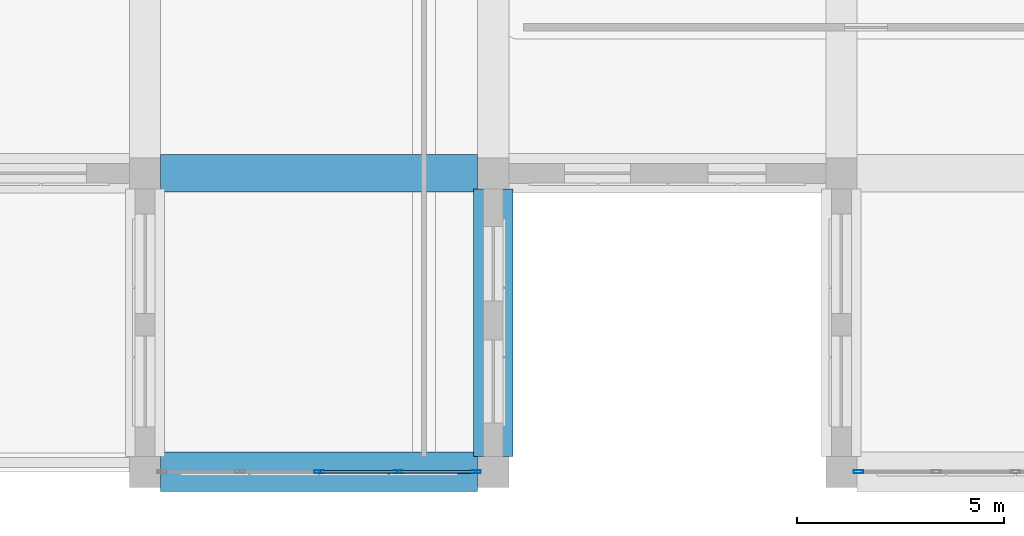
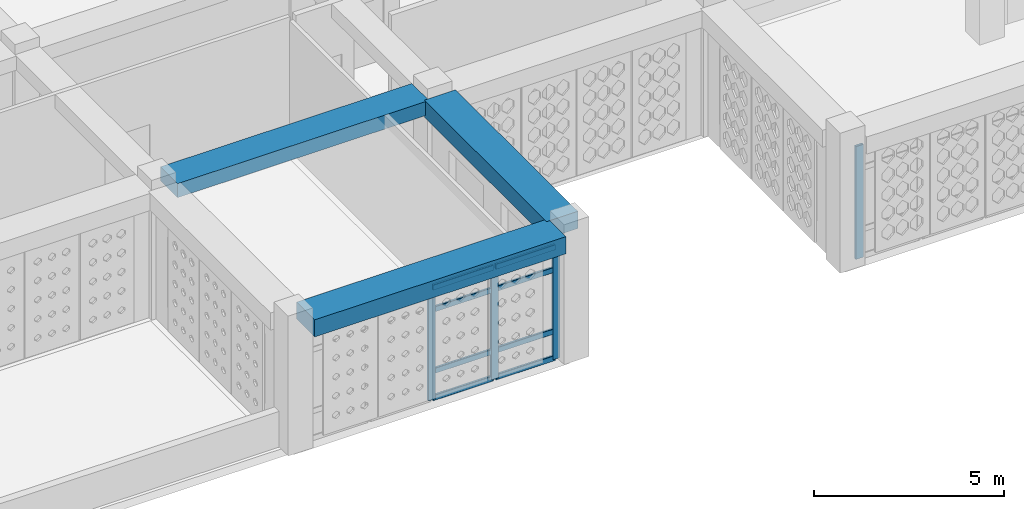
# One storey, part 15 of 111: 12 members, 3 beams, 2 elements without a shape of their own.
"""IFC4 building model written with IfcOpenShell, lengths in metres."""

from ifc_helpers import new_model, si_unit, derived_unit, direction, frame, origin, origin_2d, place, context, subcontext, project, spatial, rectangle, hollow_rectangle, extrude, material, material_profile, profile_set, type_object, element, aggregate, save


model = new_model("IFC4")

# Units and contexts
model_context = context("Model", 3, precision=1e-05, world=origin(), true_north=direction((0.0, 1.0)))
body_context = subcontext(model_context, "Body", "Model", "MODEL_VIEW")
ifc_project = project(units=[si_unit("LENGTHUNIT", "METRE"), si_unit("AREAUNIT", "SQUARE_METRE"), si_unit("VOLUMEUNIT", "CUBIC_METRE"), si_unit("PLANEANGLEUNIT", "RADIAN"), si_unit("MASSUNIT", "GRAM", prefix="KILO"), derived_unit("THERMALTRANSMITTANCEUNIT", [(si_unit("POWERUNIT", "WATT"), 1), (si_unit("LENGTHUNIT", "METRE"), -2), (si_unit("THERMODYNAMICTEMPERATUREUNIT", "KELVIN"), -1)])], contexts=[model_context])

# Site, building, storey
site_placement = place(None, origin())
site = spatial("IfcSite", under=ifc_project, at=site_placement, CompositionType="ELEMENT")
building_placement = place(site_placement, origin())
building = spatial("IfcBuilding", under=site, at=building_placement, Name="Veybourne Emporium", CompositionType="ELEMENT")
storey_placement = place(building_placement, frame((0.0, 0.0, 9.89990234375)))
storey = spatial("IfcBuildingStorey", under=building, at=storey_placement, Name="L02", CompositionType="ELEMENT", Elevation=9.89990234375)

# Curtain wall, members
ifc_material_1 = material(Name="Patinated Architectural Bronze", Category="bronze")
curtain_wall_type_1 = type_object("IfcCurtainWallType", Name="CWSystem_CWS-17", PredefinedType="NOTDEFINED", material=ifc_material_1)
curtain_wall_1_placement = place(storey_placement, origin())
curtain_wall_1 = element("IfcCurtainWall", 1, at=curtain_wall_1_placement, inside=storey, type_object=curtain_wall_type_1, Name="L02 bronze glazed curtain wall CWS-17 (039)", PredefinedType="NOTDEFINED")
ifc_material_profile_1 = material_profile(ifc_material_1, hollow_rectangle(XDim=0.072021484375, YDim=0.22509765625, WallThickness=0.0048828125, InnerFilletRadius=0.007568359375, OuterFilletRadius=0.012451171875, at=origin_2d()), Name="CWM 72x225x5")
ifc_profile_set_1 = profile_set([ifc_material_profile_1], Name="Patinated Architectural Bronze")
member_type_1 = type_object("IfcMemberType", Name="CWMullion_CW-M1", PredefinedType="MULLION", material=ifc_profile_set_1)
member_1_placement = place(storey_placement, frame((83.589111328125, 0.0, 0.0), z_axis=(0.0, 0.0, 1.0), x_axis=(0.0, -1.0, 0.0)))
member_1 = element("IfcMember", 2, at=member_1_placement, type_object=member_type_1, Name="CWS-17 mullion 1", PredefinedType="MULLION", context=body_context, shape_type="SweptSolid", body=[
    extrude(hollow_rectangle(XDim=0.072021484375, YDim=0.22509765625, WallThickness=0.0048828125, InnerFilletRadius=0.007568359375, OuterFilletRadius=0.012451171875, at=origin_2d()), origin(), (0.0, 0.0, 1.0), 3.630126953125),
])
member_2_placement = place(storey_placement, frame((81.71240234375, 0.0, 0.0), z_axis=(0.0, 0.0, 1.0), x_axis=(0.0, -1.0, 0.0)))
member_2 = element("IfcMember", 3, at=member_2_placement, type_object=member_type_1, Name="CWS-17 mullion 2", PredefinedType="MULLION", context=body_context, shape_type="SweptSolid", body=[
    extrude(hollow_rectangle(XDim=0.072021484375, YDim=0.22509765625, WallThickness=0.0048828125, InnerFilletRadius=0.007568359375, OuterFilletRadius=0.012451171875, at=origin_2d()), origin(), (0.0, 0.0, 1.0), 3.630126953125),
])
member_3_placement = place(storey_placement, frame((79.800048828125, 0.0, 0.0), z_axis=(0.0, 0.0, 1.0), x_axis=(0.0, -1.0, 0.0)))
member_3 = element("IfcMember", 4, at=member_3_placement, type_object=member_type_1, Name="CWS-17 mullion 3", PredefinedType="MULLION", context=body_context, shape_type="SweptSolid", body=[
    extrude(hollow_rectangle(XDim=0.072021484375, YDim=0.22509765625, WallThickness=0.0048828125, InnerFilletRadius=0.007568359375, OuterFilletRadius=0.012451171875, at=origin_2d()), origin(), (0.0, 0.0, 1.0), 3.630126953125),
])

# Curtain wall, member
curtain_wall_type_2 = type_object("IfcCurtainWallType", Name="CWSystem_CWS-19", PredefinedType="NOTDEFINED", material=ifc_material_1)
curtain_wall_2_placement = place(storey_placement, origin())
curtain_wall_2 = element("IfcCurtainWall", 5, at=curtain_wall_2_placement, inside=storey, type_object=curtain_wall_type_2, Name="L02 bronze glazed curtain wall CWS-19 (046)", PredefinedType="NOTDEFINED")
ifc_material_profile_2 = material_profile(ifc_material_1, hollow_rectangle(XDim=0.077880859375, YDim=0.235107421875, WallThickness=0.0048828125, InnerFilletRadius=0.007568359375, OuterFilletRadius=0.012451171875, at=origin_2d()), Name="CWM 78x235x5")
ifc_profile_set_2 = profile_set([ifc_material_profile_2], Name="Patinated Architectural Bronze")
member_type_2 = type_object("IfcMemberType", Name="CWMullion_CW-M3", PredefinedType="MULLION", material=ifc_profile_set_2)
member_4_placement = place(storey_placement, frame((92.81396484375, 0.0, 0.0), z_axis=(0.0, 0.0, 1.0), x_axis=(0.0, -1.0, 0.0)))
member_4 = element("IfcMember", 6, at=member_4_placement, type_object=member_type_2, Name="CWS-19 mullion 5", PredefinedType="MULLION", context=body_context, shape_type="SweptSolid", body=[
    extrude(hollow_rectangle(XDim=0.077880859375, YDim=0.235107421875, WallThickness=0.0048828125, InnerFilletRadius=0.007568359375, OuterFilletRadius=0.012451171875, at=origin_2d()), origin(), (0.0, 0.0, 1.0), 3.630126953125),
])
aggregate(curtain_wall_2, [member_4])

# Member
ifc_material_profile_3 = material_profile(ifc_material_1, hollow_rectangle(XDim=0.072021484375, YDim=0.175048828125, WallThickness=0.0048828125, InnerFilletRadius=0.007568359375, OuterFilletRadius=0.012451171875, at=origin_2d()), Name="CWT 72x175x5")
ifc_profile_set_3 = profile_set([ifc_material_profile_3], Name="Patinated Architectural Bronze")
member_type_3 = type_object("IfcMemberType", Name="CWTransom_CW-T1", PredefinedType="NOTDEFINED", material=ifc_profile_set_3)
member_5_placement = place(storey_placement, frame((83.552978515625, 0.0, 0.0361328125), z_axis=(-1.0, 0.0, 0.0), x_axis=(0.0, -1.0, 0.0)))
member_5 = element("IfcMember", 7, at=member_5_placement, type_object=member_type_3, Name="CWS-17 transom 1.1", ObjectType="TRANSOM", PredefinedType="USERDEFINED", context=body_context, shape_type="SweptSolid", body=[
    extrude(hollow_rectangle(XDim=0.072021484375, YDim=0.175048828125, WallThickness=0.0048828125, InnerFilletRadius=0.007568359375, OuterFilletRadius=0.012451171875, at=origin_2d()), origin(), (0.0, 0.0, 1.0), 1.804443359375),
])

member_6_placement = place(storey_placement, frame((83.552978515625, 0.0, 0.900146484375), z_axis=(-1.0, 0.0, 0.0), x_axis=(0.0, -1.0, 0.0)))
member_6 = element("IfcMember", 8, at=member_6_placement, type_object=member_type_3, Name="CWS-17 transom 1.2", ObjectType="TRANSOM", PredefinedType="USERDEFINED", context=body_context, shape_type="SweptSolid", body=[
    extrude(hollow_rectangle(XDim=0.072021484375, YDim=0.175048828125, WallThickness=0.0048828125, InnerFilletRadius=0.007568359375, OuterFilletRadius=0.012451171875, at=origin_2d()), origin(), (0.0, 0.0, 1.0), 1.804443359375),
])

member_7_placement = place(storey_placement, frame((83.552978515625, 0.0, 2.880126953125), z_axis=(-1.0, 0.0, 0.0), x_axis=(0.0, -1.0, 0.0)))
member_7 = element("IfcMember", 9, at=member_7_placement, type_object=member_type_3, Name="CWS-17 transom 1.3", ObjectType="TRANSOM", PredefinedType="USERDEFINED", context=body_context, shape_type="SweptSolid", body=[
    extrude(hollow_rectangle(XDim=0.072021484375, YDim=0.175048828125, WallThickness=0.0048828125, InnerFilletRadius=0.007568359375, OuterFilletRadius=0.012451171875, at=origin_2d()), origin(), (0.0, 0.0, 1.0), 1.804443359375),
])

member_8_placement = place(storey_placement, frame((83.552978515625, 0.0, 3.593994140625), z_axis=(-1.0, 0.0, 0.0), x_axis=(0.0, -1.0, 0.0)))
member_8 = element("IfcMember", 10, at=member_8_placement, type_object=member_type_3, Name="CWS-17 transom 1.4", ObjectType="TRANSOM", PredefinedType="USERDEFINED", context=body_context, shape_type="SweptSolid", body=[
    extrude(hollow_rectangle(XDim=0.072021484375, YDim=0.175048828125, WallThickness=0.0048828125, InnerFilletRadius=0.007568359375, OuterFilletRadius=0.012451171875, at=origin_2d()), origin(), (0.0, 0.0, 1.0), 1.804443359375),
])

member_9_placement = place(storey_placement, frame((81.676513671875, 0.0, 0.0361328125), z_axis=(-1.0, 0.0, 0.0), x_axis=(0.0, -1.0, 0.0)))
member_9 = element("IfcMember", 11, at=member_9_placement, type_object=member_type_3, Name="CWS-17 transom 2.1", ObjectType="TRANSOM", PredefinedType="USERDEFINED", context=body_context, shape_type="SweptSolid", body=[
    extrude(hollow_rectangle(XDim=0.072021484375, YDim=0.175048828125, WallThickness=0.0048828125, InnerFilletRadius=0.007568359375, OuterFilletRadius=0.012451171875, at=origin_2d()), origin(), (0.0, 0.0, 1.0), 1.840576171875),
])

member_10_placement = place(storey_placement, frame((81.676513671875, 0.0, 0.900146484375), z_axis=(-1.0, 0.0, 0.0), x_axis=(0.0, -1.0, 0.0)))
member_10 = element("IfcMember", 12, at=member_10_placement, type_object=member_type_3, Name="CWS-17 transom 2.2", ObjectType="TRANSOM", PredefinedType="USERDEFINED", context=body_context, shape_type="SweptSolid", body=[
    extrude(hollow_rectangle(XDim=0.072021484375, YDim=0.175048828125, WallThickness=0.0048828125, InnerFilletRadius=0.007568359375, OuterFilletRadius=0.012451171875, at=origin_2d()), origin(), (0.0, 0.0, 1.0), 1.840576171875),
])

member_11_placement = place(storey_placement, frame((81.676513671875, 0.0, 2.880126953125), z_axis=(-1.0, 0.0, 0.0), x_axis=(0.0, -1.0, 0.0)))
member_11 = element("IfcMember", 13, at=member_11_placement, type_object=member_type_3, Name="CWS-17 transom 2.3", ObjectType="TRANSOM", PredefinedType="USERDEFINED", context=body_context, shape_type="SweptSolid", body=[
    extrude(hollow_rectangle(XDim=0.072021484375, YDim=0.175048828125, WallThickness=0.0048828125, InnerFilletRadius=0.007568359375, OuterFilletRadius=0.012451171875, at=origin_2d()), origin(), (0.0, 0.0, 1.0), 1.840576171875),
])

member_12_placement = place(storey_placement, frame((81.676513671875, 0.0, 3.593994140625), z_axis=(-1.0, 0.0, 0.0), x_axis=(0.0, -1.0, 0.0)))
member_12 = element("IfcMember", 14, at=member_12_placement, type_object=member_type_3, Name="CWS-17 transom 2.4", ObjectType="TRANSOM", PredefinedType="USERDEFINED", context=body_context, shape_type="SweptSolid", body=[
    extrude(hollow_rectangle(XDim=0.072021484375, YDim=0.175048828125, WallThickness=0.0048828125, InnerFilletRadius=0.007568359375, OuterFilletRadius=0.012451171875, at=origin_2d()), origin(), (0.0, 0.0, 1.0), 1.840576171875),
])

aggregate(curtain_wall_1, [member_1, member_2, member_3, member_5, member_6, member_7, member_8, member_9, member_10, member_11, member_12])

# Beams
ifc_material_2 = material(Name="Concrete C32/40", Category="concrete")
ifc_material_profile_4 = material_profile(ifc_material_2, rectangle(XDim=0.89990234375, YDim=0.449951171875, at=origin_2d()), Name="RC 900x450")
ifc_profile_set_4 = profile_set([ifc_material_profile_4], Name="Concrete C32/40")
beam_type_1 = type_object("IfcBeamType", Name="RCBeam_BB-03", PredefinedType="BEAM", material=ifc_profile_set_4)
beam_1_placement = place(storey_placement, frame((75.97509765625, 7.199951171875, 3.955078125), z_axis=(1.0, 0.0, 0.0), x_axis=(0.0, 1.0, 0.0)))
element("IfcBeam", 15, at=beam_1_placement, inside=storey, type_object=beam_type_1, Name="L02 X-grid beam BB-03 (9,1)", PredefinedType="BEAM", context=body_context, shape_type="SweptSolid", body=[
    extrude(rectangle(XDim=0.89990234375, YDim=0.449951171875, at=origin_2d()), origin(), (0.0, 0.0, 1.0), 7.64990234375),
])
ifc_material_profile_5 = material_profile(ifc_material_2, rectangle(XDim=0.949951171875, YDim=0.550048828125, at=origin_2d()), Name="RC 950x550")
ifc_profile_set_5 = profile_set([ifc_material_profile_5], Name="Concrete C32/40")
beam_type_2 = type_object("IfcBeamType", Name="RCBeam_EB-01", PredefinedType="SPANDREL", material=ifc_profile_set_5)
beam_2_placement = place(storey_placement, frame((75.97509765625, 0.0, 3.905029296875), z_axis=(1.0, 0.0, 0.0), x_axis=(0.0, 1.0, 0.0)))
element("IfcBeam", 16, at=beam_2_placement, inside=storey, type_object=beam_type_2, Name="L02 X-grid beam EB-01 (9,0)", PredefinedType="SPANDREL", context=body_context, shape_type="SweptSolid", body=[
    extrude(rectangle(XDim=0.949951171875, YDim=0.550048828125, at=origin_2d()), origin(), (0.0, 0.0, 1.0), 7.64990234375),
])
beam_3_placement = place(storey_placement, frame((84.0, 0.375, 3.905029296875), z_axis=(0.0, 1.0, 0.0), x_axis=(-1.0, 0.0, 0.0)))
element("IfcBeam", 17, at=beam_3_placement, inside=storey, type_object=beam_type_2, Name="L02 Y-grid beam EB-01 (10,0)", PredefinedType="SPANDREL", context=body_context, shape_type="SweptSolid", body=[
    extrude(rectangle(XDim=0.949951171875, YDim=0.550048828125, at=origin_2d()), origin(), (0.0, 0.0, 1.0), 6.449951171875),
])

save(model, "model.ifc")
